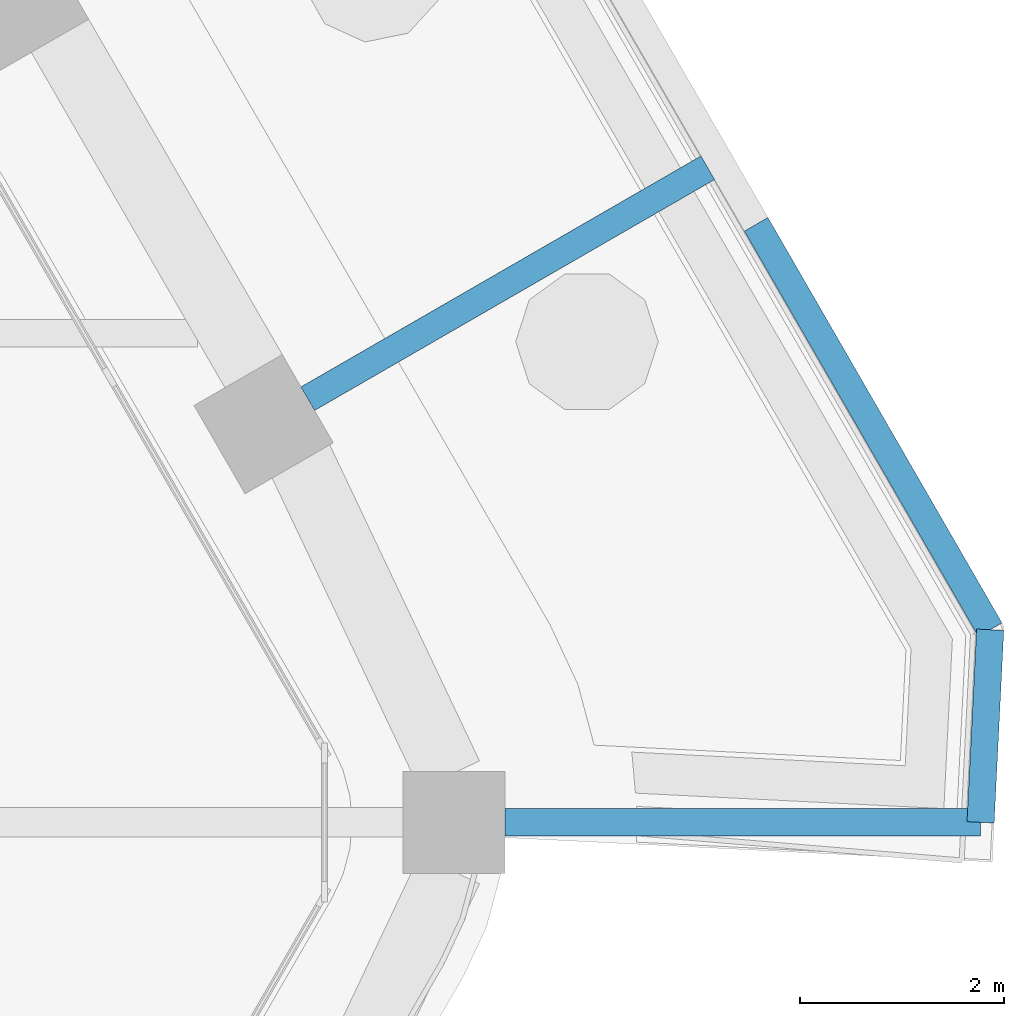
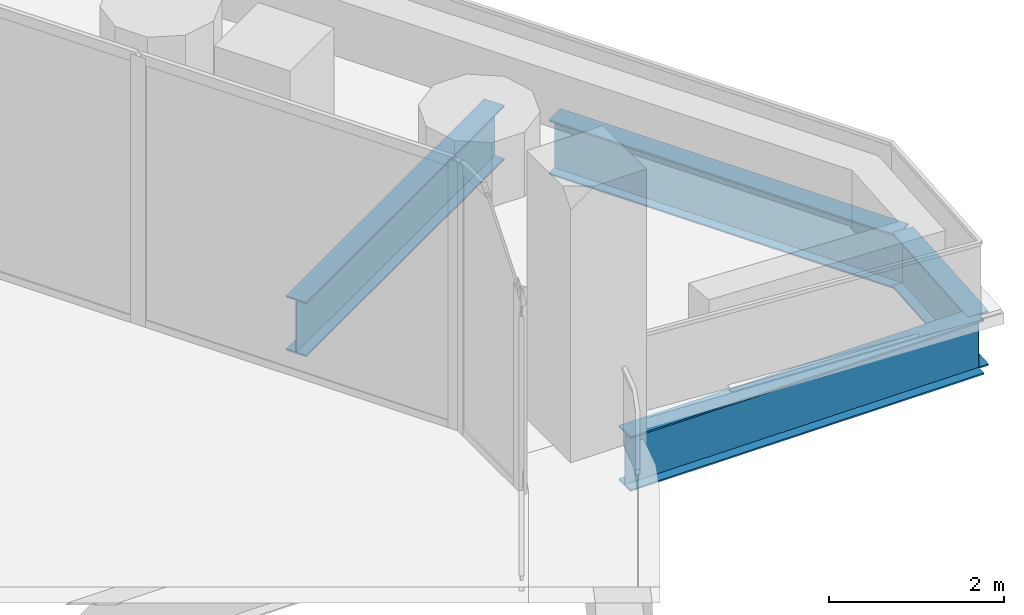
# One storey, part 5 of 17: 4 beams.
"""IFC4 building model written with IfcOpenShell, lengths in metres."""

from ifc_helpers import new_model, si_unit, direction, frame, origin, origin_2d, place, context, subcontext, project, spatial, i_section, extrude, material, material_profile, profile_set, type_object, element, save


model = new_model("IFC4")

# Units and contexts
model_context = context("Model", 3, precision=1e-05, world=origin(), true_north=direction((0.0, 1.0)))
body_context = subcontext(model_context, "Body", "Model", "MODEL_VIEW")
ifc_project = project(units=[si_unit("LENGTHUNIT", "METRE"), si_unit("AREAUNIT", "SQUARE_METRE"), si_unit("VOLUMEUNIT", "CUBIC_METRE"), si_unit("PLANEANGLEUNIT", "RADIAN"), si_unit("MASSUNIT", "GRAM", prefix="KILO")], contexts=[model_context])

# Site, building, storey
site_placement = place(None, origin())
site = spatial("IfcSite", under=ifc_project, at=site_placement, CompositionType="ELEMENT")
building_placement = place(site_placement, origin())
building = spatial("IfcBuilding", under=site, at=building_placement, Name="Kolab Exchange Tower", CompositionType="ELEMENT")
storey_placement = place(building_placement, frame((0.0, 0.0, 166.10009765625)))
storey = spatial("IfcBuildingStorey", under=building, at=storey_placement, Name="L34", CompositionType="ELEMENT", Elevation=166.10009765625)

# Beams
ifc_material = material(Name="Steel S355", Category="steel")
ifc_material_profile = material_profile(ifc_material, i_section(OverallWidth=0.26708984375, OverallDepth=0.761962890625, WebThickness=0.014404296875, FlangeThickness=0.021484375, at=origin_2d()), Name="W760X173")
ifc_profile_set = profile_set([ifc_material_profile], Name="Steel S355")
beam_type = type_object("IfcBeamType", Name="FLOOR GIRDER W760X173", PredefinedType="BEAM", material=ifc_profile_set)
beam_1_placement = place(storey_placement, frame((26.39990234375, 4.156982421875, -0.591064453125), z_axis=(0.866043881399, 0.499967994467, 0.0), x_axis=(-0.499967994467, 0.866043881399, 0.0)))
element("IfcBeam", 1, at=beam_1_placement, inside=storey, type_object=beam_type, Name="beam/L34/ledge/rib-11", PredefinedType="BEAM", context=body_context, shape_type="SweptSolid", body=[
    extrude(i_section(OverallWidth=0.26708984375, OverallDepth=0.761962890625, WebThickness=0.014404296875, FlangeThickness=0.021484375, at=origin_2d()), origin(), (0.0, 0.0, 1.0), 4.532958984375),
])
beam_2_placement = place(storey_placement, frame((28.3359375, 0.0, -0.591064453125), z_axis=(1.0, 0.0, 0.0), x_axis=(0.0, 1.0, 0.0)))
element("IfcBeam", 2, at=beam_2_placement, inside=storey, type_object=beam_type, Name="beam/L34/ledge/rib-12", PredefinedType="BEAM", context=body_context, shape_type="SweptSolid", body=[
    extrude(i_section(OverallWidth=0.26708984375, OverallDepth=0.761962890625, WebThickness=0.014404296875, FlangeThickness=0.021484375, at=origin_2d()), origin(), (0.0, 0.0, 1.0), 4.66650390625),
])
beam_3_placement = place(storey_placement, frame((30.80029296875, 5.868408203125, -0.591064453125), z_axis=(0.499980071345, -0.866036909293, 0.0), x_axis=(0.866036909293, 0.499980071345, 0.0)))
element("IfcBeam", 3, at=beam_3_placement, inside=storey, type_object=beam_type, Name="beam/L34/ledge/edge-14", PredefinedType="BEAM", context=body_context, shape_type="SweptSolid", body=[
    extrude(i_section(OverallWidth=0.26708984375, OverallDepth=0.761962890625, WebThickness=0.014404296875, FlangeThickness=0.021484375, at=origin_2d()), origin(), (0.0, 0.0, 1.0), 4.593994140625),
])
beam_4_placement = place(storey_placement, frame((33.09716796875, 1.889892578125, -0.591064453125), z_axis=(-0.049931181973, -0.998752660606, 0.0), x_axis=(0.998752660606, -0.049931181973, 0.0)))
element("IfcBeam", 4, at=beam_4_placement, inside=storey, type_object=beam_type, Name="beam/L34/ledge/edge-15", PredefinedType="BEAM", context=body_context, shape_type="SweptSolid", body=[
    extrude(i_section(OverallWidth=0.26708984375, OverallDepth=0.761962890625, WebThickness=0.014404296875, FlangeThickness=0.021484375, at=origin_2d()), origin(), (0.0, 0.0, 1.0), 1.892333984375),
])

save(model, "model.ifc")
